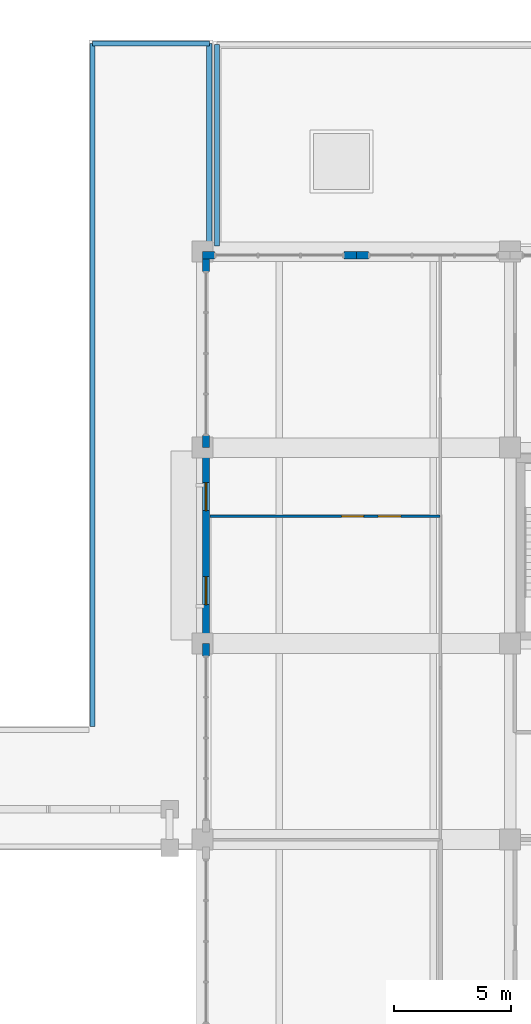
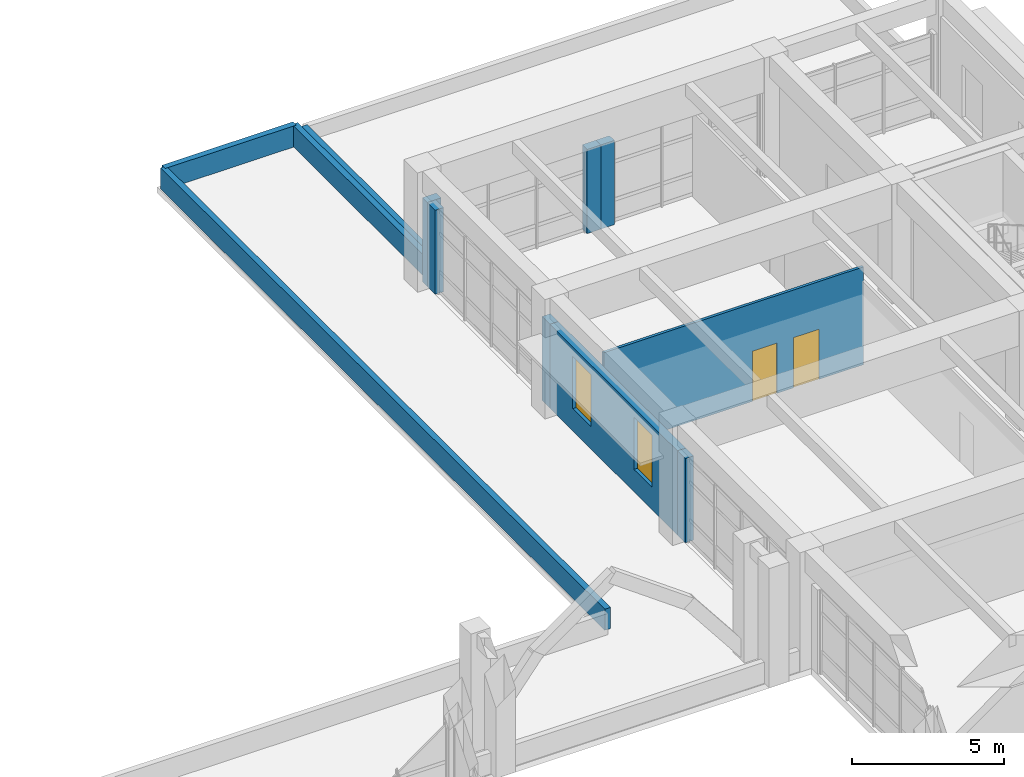
# One storey, part 50 of 75: 12 walls, 2 doors, 2 windows, 4 openings.
"""IFC4 building model written with IfcOpenShell, lengths in metres."""

from ifc_helpers import new_model, si_unit, direction, frame, frame_2d, origin, place, context, subcontext, project, spatial, rectangle, extrude, material, layer, layer_set, type_object, element, fill, save


model = new_model("IFC4")

# Units and contexts
model_context = context("Model", 3, precision=1e-05, world=origin(), true_north=direction((0.0, 1.0)))
body_context = subcontext(model_context, "Body", "Model", "MODEL_VIEW")
ifc_project = project(units=[si_unit("LENGTHUNIT", "METRE"), si_unit("AREAUNIT", "SQUARE_METRE"), si_unit("VOLUMEUNIT", "CUBIC_METRE"), si_unit("PLANEANGLEUNIT", "RADIAN"), si_unit("MASSUNIT", "GRAM", prefix="KILO")], contexts=[model_context])

# Site, building, storey
site_placement = place(None, origin())
site = spatial("IfcSite", under=ifc_project, at=site_placement, CompositionType="ELEMENT")
building_placement = place(site_placement, origin())
building = spatial("IfcBuilding", under=site, at=building_placement, Name="Kolvaren Faculty of Natural Sciences", CompositionType="ELEMENT")
storey_placement = place(building_placement, frame((0.0, 0.0, 5.39990234375)))
storey = spatial("IfcBuildingStorey", under=building, at=storey_placement, Name="L01", CompositionType="ELEMENT", Elevation=5.39990234375)

# Wall
ifc_material_1 = material(Name="Sandstone-faced insulated cavity masonry", Category="masonry")
ifc_layer_1 = layer(ifc_material_1, 0.320068359375)
ifc_layer_set_1 = layer_set([ifc_layer_1], Name="Sandstone-faced insulated cavity masonry")
wall_type_1 = type_object("IfcWallType", Name="ExteriorCavityWall_320", PredefinedType="STANDARD", material=ifc_layer_set_1)
wall_1_placement = place(storey_placement, frame((119.159912109375, 92.080078125, 0.0), z_axis=(0.0, 0.0, 1.0), x_axis=(0.0, 1.0, 0.0)))
element("IfcWall", 1, at=wall_1_placement, inside=storey, type_object=wall_type_1, Name="L01 curtain-wall pier stub 198", PredefinedType="STANDARD", context=body_context, shape_type="SweptSolid", body=[
    extrude(rectangle(XDim=0.52001953125, YDim=0.320068359375, at=frame_2d((0.260009765625, 0.0))), origin(), (0.0, 0.0, 1.0), 3.385009765625),
])

# Wall, openings, windows
wall_2_placement = place(storey_placement, frame((119.159912109375, 92.60009765625, 0.0), z_axis=(0.0, 0.0, 1.0), x_axis=(0.0, 1.0, 0.0)))
wall_2 = element("IfcWall", 2, at=wall_2_placement, inside=storey, type_object=wall_type_1, Name="L01 exterior masonry wall EW-320 (199)", PredefinedType="STANDARD", context=body_context, shape_type="SweptSolid", body=[
    extrude(rectangle(XDim=8.39990234375, YDim=0.320068359375, at=frame_2d((4.199951171875, 0.0))), origin(), (0.0, 0.0, 1.0), 3.385009765625),
])
opening_1_placement = place(wall_2_placement, frame((1.66796875, 0.0, 0.89990234375)))
opening_1 = element("IfcOpeningElement", 3, at=opening_1_placement, cuts=wall_2, Name="Opening WIN-01", PredefinedType="OPENING", context=body_context, shape_type="SweptSolid", body=[
    extrude(rectangle(XDim=1.199951171875, YDim=2.10009765625, at=frame_2d((0.60009765625, 1.050048828125))), frame((0.0, 0.169921875, 0.0), z_axis=(0.0, -1.0, 0.0), x_axis=(1.0, 0.0, 0.0)), (0.0, 0.0, 1.0), 0.340087890625),
])
opening_2_placement = place(wall_2_placement, frame((5.699951171875, 0.0, 0.89990234375)))
opening_2 = element("IfcOpeningElement", 4, at=opening_2_placement, cuts=wall_2, Name="Opening WIN-01", PredefinedType="OPENING", context=body_context, shape_type="SweptSolid", body=[
    extrude(rectangle(XDim=1.199951171875, YDim=2.10009765625, at=frame_2d((0.60009765625, 1.050048828125))), frame((0.0, 0.169921875, 0.0), z_axis=(0.0, -1.0, 0.0), x_axis=(1.0, 0.0, 0.0)), (0.0, 0.0, 1.0), 0.340087890625),
])
ifc_material_2 = material(Name="Double low-E solar control insulated glazing", Category="glass")
window_type = type_object("IfcWindowType", Name="AluWindow_WIN01_1200x2100", PartitioningType="SINGLE_PANEL", PredefinedType="WINDOW", material=ifc_material_2)
window_1_placement = place(opening_1_placement, origin())
window_1 = element("IfcWindow", 5, at=window_1_placement, inside=storey, type_object=window_type, Name="WIN-L01-0173", OverallHeight=2.10009765625, OverallWidth=1.199951171875, PartitioningType="SINGLE_PANEL", PredefinedType="WINDOW", context=body_context, shape_type="SweptSolid", body=[
    extrude(rectangle(XDim=1.199951171875, YDim=2.10009765625, at=frame_2d((0.60009765625, 1.050048828125))), frame((0.0, 0.030029296875, 0.0), z_axis=(0.0, -1.0, 0.0), x_axis=(1.0, 0.0, 0.0)), (0.0, 0.0, 1.0), 0.06005859375),
])
fill(opening_1, window_1)
window_2_placement = place(opening_2_placement, origin())
window_2 = element("IfcWindow", 6, at=window_2_placement, inside=storey, type_object=window_type, Name="WIN-L01-0174", OverallHeight=2.10009765625, OverallWidth=1.199951171875, PartitioningType="SINGLE_PANEL", PredefinedType="WINDOW", context=body_context, shape_type="SweptSolid", body=[
    extrude(rectangle(XDim=1.199951171875, YDim=2.10009765625, at=frame_2d((0.60009765625, 1.050048828125))), frame((0.0, 0.030029296875, 0.0), z_axis=(0.0, -1.0, 0.0), x_axis=(1.0, 0.0, 0.0)), (0.0, 0.0, 1.0), 0.06005859375),
])
fill(opening_2, window_2)

# Walls
for number, where, z_axis, x_axis, name in (
    (7, (119.159912109375, 101.0, 0.0), (0.0, 0.0, 1.0), (0.0, 1.0, 0.0), "L01 curtain-wall pier stub 200"),
    (8, (119.159912109375, 108.56005859375, 0.0), (0.0, 0.0, 1.0), (0.0, 1.0, 0.0), "L01 curtain-wall pier stub 201"),
    (9, (119.0, 109.239990234375, 0.0), (0.0, 0.0, 1.0), (1.0, 0.0, 0.0), "L01 curtain-wall pier stub 202"),
    (10, (125.080078125, 109.239990234375, 0.0), (0.0, 0.0, 1.0), (1.0, 0.0, 0.0), "L01 curtain-wall pier stub 203"),
    (11, (125.60009765625, 109.239990234375, 0.0), (0.0, 0.0, 1.0), (1.0, 0.0, 0.0), "L01 curtain-wall pier stub 204"),
):
    element("IfcWall", number, at=place(storey_placement, frame(where, z_axis=z_axis, x_axis=x_axis)), inside=storey, type_object=wall_type_1, Name=name, PredefinedType="STANDARD", context=body_context, shape_type="SweptSolid", body=[
        extrude(rectangle(XDim=0.52001953125, YDim=0.320068359375, at=frame_2d((0.260009765625, 0.0))), origin(), (0.0, 0.0, 1.0), 3.385009765625),
    ])
ifc_material_3 = material(Name="Precast concrete C35/45", Category="concrete")
ifc_layer_2 = layer(ifc_material_3, 0.219970703125)
ifc_layer_set_2 = layer_set([ifc_layer_2], Name="Precast concrete C35/45")
wall_type_2 = type_object("IfcWallType", Name="ParapetUpstandWall_220", PredefinedType="PARAPET", material=ifc_layer_set_2)
wall_3_placement = place(storey_placement, frame((114.300048828125, 89.050048828125, 0.0), z_axis=(0.0, 0.0, 1.0), x_axis=(0.0, 1.0, 0.0)))
element("IfcWall", 12, at=wall_3_placement, inside=storey, type_object=wall_type_2, Name="L01 Mughal colonnade roof parapet upstand 13", PredefinedType="PARAPET", context=body_context, shape_type="SweptSolid", body=[
    extrude(rectangle(XDim=29.280029296875, YDim=0.219970703125, at=frame_2d((14.64013671875, 0.0))), origin(), (0.0, 0.0, 1.0), 0.85009765625),
])
wall_4_placement = place(storey_placement, frame((114.300048828125, 118.330078125, 0.0), z_axis=(0.0, 0.0, 1.0), x_axis=(1.0, 0.0, 0.0)))
element("IfcWall", 13, at=wall_4_placement, inside=storey, type_object=wall_type_2, Name="L01 Mughal colonnade roof parapet upstand 14", PredefinedType="PARAPET", context=body_context, shape_type="SweptSolid", body=[
    extrude(rectangle(XDim=5.0, YDim=0.219970703125, at=frame_2d((2.5, 0.0))), origin(), (0.0, 0.0, 1.0), 0.85009765625),
])
wall_5_placement = place(storey_placement, frame((119.300048828125, 118.330078125, 0.0), z_axis=(0.0, 0.0, 1.0), x_axis=(0.0, -1.0, 0.0)))
element("IfcWall", 14, at=wall_5_placement, inside=storey, type_object=wall_type_2, Name="L01 Mughal colonnade roof parapet upstand 15", PredefinedType="PARAPET", context=body_context, shape_type="SweptSolid", body=[
    extrude(rectangle(XDim=8.75, YDim=0.219970703125, at=frame_2d((4.375, 0.0))), origin(), (0.0, 0.0, 1.0), 0.85009765625),
])
wall_6_placement = place(storey_placement, frame((119.6298828125, 109.64990234375, 0.0), z_axis=(0.0, 0.0, 1.0), x_axis=(0.0, 1.0, 0.0)))
element("IfcWall", 15, at=wall_6_placement, inside=storey, type_object=wall_type_2, Name="L01 architectural sandstone roof parapet 16", PredefinedType="PARAPET", context=body_context, shape_type="SweptSolid", body=[
    extrude(rectangle(XDim=8.630126953125, YDim=0.219970703125, at=frame_2d((4.31494140625, 0.0))), origin(), (0.0, 0.0, 1.0), 0.68017578125),
])

# Wall, openings, doors
ifc_material_4 = material(Name="Acoustic mineral-wool insulated gypsum partition")
ifc_layer_3 = layer(ifc_material_4, 0.10498046875)
ifc_layer_set_3 = layer_set([ifc_layer_3], Name="Acoustic mineral-wool insulated gypsum partition")
wall_type_3 = type_object("IfcWallType", Name="WetRoomPartition_105", PredefinedType="PARTITIONING", material=ifc_layer_set_3)
wall_7_placement = place(storey_placement, frame((119.322021484375, 98.06005859375, 0.0), z_axis=(0.0, 0.0, 1.0), x_axis=(1.0, 0.0, 0.0)))
wall_7 = element("IfcWall", 16, at=wall_7_placement, inside=storey, type_object=wall_type_3, Name="L01 interior partition PW-105", PredefinedType="PARTITIONING", context=body_context, shape_type="SweptSolid", body=[
    extrude(rectangle(XDim=9.8779296875, YDim=0.10498046875, at=frame_2d((4.93896484375, 0.0))), origin(), (0.0, 0.0, 1.0), 3.93505859375),
])
opening_3_placement = place(wall_7_placement, frame((5.654296875, 0.0, 0.0)))
opening_3 = element("IfcOpeningElement", 17, at=opening_3_placement, cuts=wall_7, Name="Opening ID-02", PredefinedType="OPENING", context=body_context, shape_type="SweptSolid", body=[
    extrude(rectangle(XDim=0.93994140625, YDim=2.02001953125, at=frame_2d((0.469970703125, 1.010009765625))), frame((0.0, 0.0625, 0.0), z_axis=(0.0, -1.0, 0.0), x_axis=(1.0, 0.0, 0.0)), (0.0, 0.0, 1.0), 0.125),
])
opening_4_placement = place(wall_7_placement, frame((7.21484375, 0.0, 0.0)))
opening_4 = element("IfcOpeningElement", 18, at=opening_4_placement, cuts=wall_7, Name="Opening ID-03", PredefinedType="OPENING", context=body_context, shape_type="SweptSolid", body=[
    extrude(rectangle(XDim=0.97998046875, YDim=2.02001953125, at=frame_2d((0.489990234375, 1.010009765625))), frame((0.0, 0.0625, 0.0), z_axis=(0.0, -1.0, 0.0), x_axis=(1.0, 0.0, 0.0)), (0.0, 0.0, 1.0), 0.125),
])
ifc_material_5 = material(Name="Solid-core hardwood veneer door leaf in steel frame", Category="steel")
door_type_1 = type_object("IfcDoorType", Name="InteriorRoomDoor_940x2020", OperationType="NOTDEFINED", PredefinedType="DOOR", material=ifc_material_5)
door_1_placement = place(opening_3_placement, origin())
door_1 = element("IfcDoor", 19, at=door_1_placement, inside=storey, type_object=door_type_1, Name="D-L01-0127", OperationType="SINGLE_SWING_LEFT", OverallHeight=2.02001953125, OverallWidth=0.93994140625, PredefinedType="DOOR", context=body_context, shape_type="SweptSolid", body=[
    extrude(rectangle(XDim=0.93994140625, YDim=2.02001953125, at=frame_2d((0.469970703125, 1.010009765625))), frame((0.0, 0.02490234375, 0.0), z_axis=(0.0, -1.0, 0.0), x_axis=(1.0, 0.0, 0.0)), (0.0, 0.0, 1.0), 0.050048828125),
])
fill(opening_3, door_1)
door_type_2 = type_object("IfcDoorType", Name="InteriorRoomDoor_980x2020", OperationType="NOTDEFINED", PredefinedType="DOOR", material=ifc_material_5)
door_2_placement = place(opening_4_placement, origin())
door_2 = element("IfcDoor", 20, at=door_2_placement, inside=storey, type_object=door_type_2, Name="D-L01-0129", OperationType="SINGLE_SWING_LEFT", OverallHeight=2.02001953125, OverallWidth=0.97998046875, PredefinedType="DOOR", context=body_context, shape_type="SweptSolid", body=[
    extrude(rectangle(XDim=0.97998046875, YDim=2.02001953125, at=frame_2d((0.489990234375, 1.010009765625))), frame((0.0, 0.02490234375, 0.0), z_axis=(0.0, -1.0, 0.0), x_axis=(1.0, 0.0, 0.0)), (0.0, 0.0, 1.0), 0.050048828125),
])
fill(opening_4, door_2)

save(model, "model.ifc")
